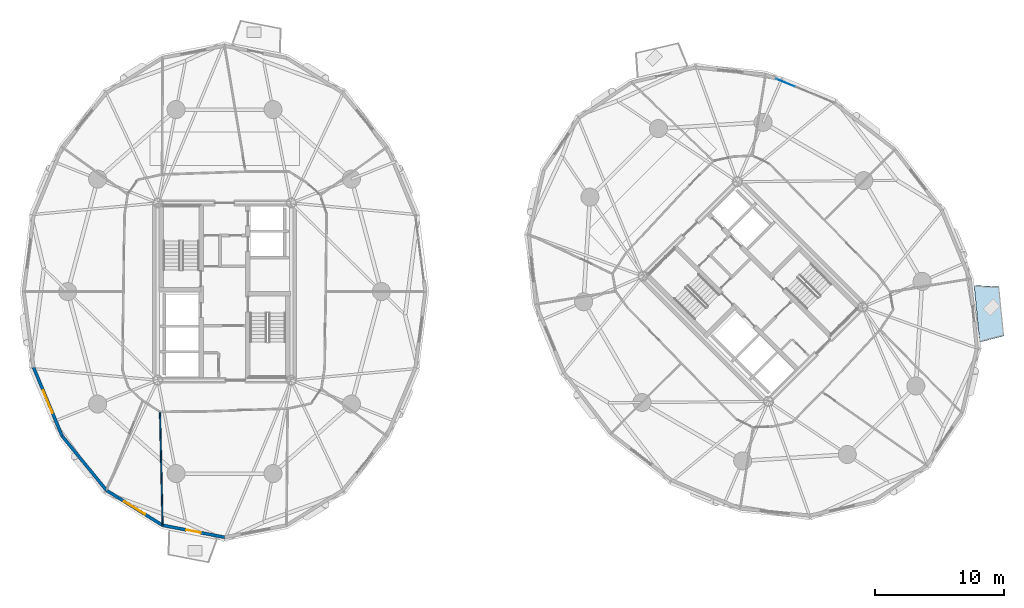
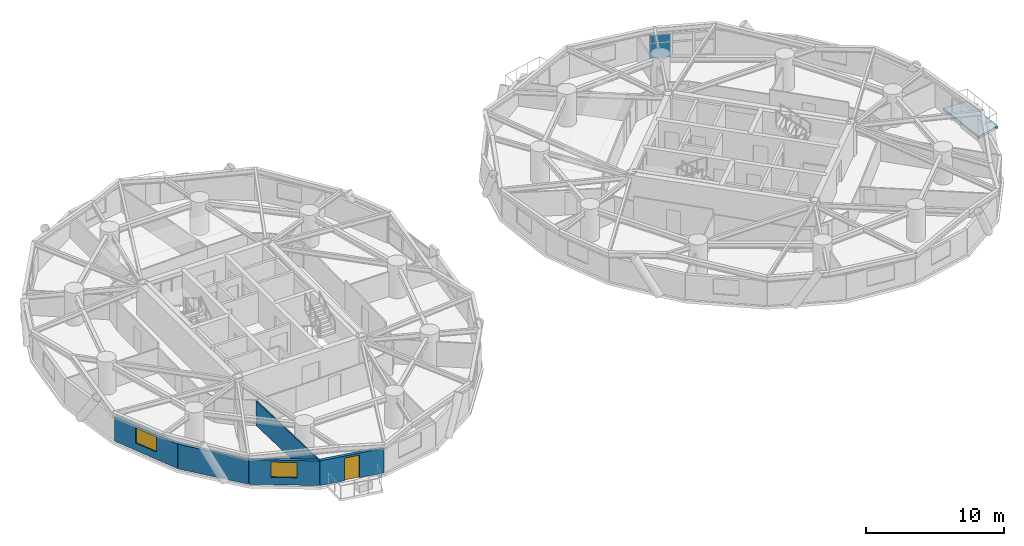
# One storey, part 8 of 17: 5 walls, 2 plates, 2 windows, 1 door, 1 slab, 3 openings, 1 element without a shape of its own.
"""IFC4 building model written with IfcOpenShell, lengths in metres."""

import ifcopenshell
import ifcopenshell.guid

model = None  # the IFC model being written
_history = None  # IfcOwnerHistory: only IFC2X3 demands one
_inside = {}  # id of a spatial element -> (the spatial element, [elements in it])
_under = {}  # id of a project, library or spatial element -> (it, [spatial elements below it])
_declared = {}  # id of a project -> (the project, [libraries it declares])
_typed = {}  # id of a type object -> (the type object, [elements of that type])
_made_of = {}  # id of a material, layer set ... -> (it, [elements and type objects made of it])


def new_model(schema):
    """Start an empty IFC model of exactly this schema.

    Asked for "IFC4X3", IfcOpenShell would pick the latest addendum, in which some entities
    have other attributes; the version numbers below select the first issue.
    IFC2X3 requires an IfcOwnerHistory on every rooted entity: one is made here for all.
    """
    global model, _history
    if schema == "IFC4X3":
        model = ifcopenshell.file(schema_version=(4, 3, 0, 0))
    else:
        model = ifcopenshell.file(schema=schema)
    _inside.clear()
    _under.clear()
    _declared.clear()
    _typed.clear()
    _made_of.clear()
    _history = None
    if model.schema == "IFC2X3":
        org = make("IfcOrganization", Name="unknown")
        user = make(
            "IfcPersonAndOrganization",
            ThePerson=make("IfcPerson", FamilyName="unknown"),
            TheOrganization=org,
        )
        app = make(
            "IfcApplication",
            ApplicationDeveloper=org,
            Version="unknown",
            ApplicationFullName="unknown",
            ApplicationIdentifier="unknown",
        )
        _history = make(
            "IfcOwnerHistory",
            OwningUser=user,
            OwningApplication=app,
            ChangeAction="ADDED",
            CreationDate=0,
        )
    return model


def make(cls, **values):
    """One entity of the class cls with the attributes given. An attribute that is None is left unset."""
    return model.create_entity(
        cls, **{name: value for name, value in values.items() if value is not None}
    )


def rooted(cls, **values):
    """An entity with a GlobalId (a new one), such as an element, a storey or a relation."""
    return make(cls, GlobalId=ifcopenshell.guid.new(), OwnerHistory=_history, **values)


def si_unit(unit_type, name, prefix=None):
    """IfcSIUnit, for example si_unit("LENGTHUNIT", "METRE", prefix="MILLI")."""
    return make("IfcSIUnit", UnitType=unit_type, Prefix=prefix, Name=name)


def assignment(units):
    """IfcUnitAssignment: the units of a project."""
    return None if units is None else make("IfcUnitAssignment", Units=units)


def point(xyz):
    """IfcCartesianPoint."""
    return None if xyz is None else make("IfcCartesianPoint", Coordinates=xyz)


def direction(xyz):
    """IfcDirection."""
    return None if xyz is None else make("IfcDirection", DirectionRatios=xyz)


def frame(location, z_axis=None, x_axis=None):
    """IfcAxis2Placement3D, a coordinate frame: its origin and axes. An axis left out is left unset."""
    return make(
        "IfcAxis2Placement3D",
        Location=point(location),
        Axis=direction(z_axis),
        RefDirection=direction(x_axis),
    )


def frame_2d(location, x_axis=None):
    """IfcAxis2Placement2D, a coordinate frame in the plane: its origin and x axis."""
    return make(
        "IfcAxis2Placement2D", Location=point(location), RefDirection=direction(x_axis)
    )


def origin():
    """The frame at (0, 0, 0) with its axes left unset."""
    return frame((0.0, 0.0, 0.0))


def origin_2d():
    """The frame at (0, 0) in the plane with its x axis left unset."""
    return frame_2d((0.0, 0.0))


def place(relative_to, where):
    """IfcLocalPlacement: puts the frame where relative to a parent placement (None: the world)."""
    return make(
        "IfcLocalPlacement", PlacementRelTo=relative_to, RelativePlacement=where
    )


def context(
    kind, dimensions, precision=None, world=None, true_north=None, identifier=None
):
    """IfcGeometricRepresentationContext, for example the 3D "Model" context."""
    return make(
        "IfcGeometricRepresentationContext",
        ContextIdentifier=identifier,
        ContextType=kind,
        CoordinateSpaceDimension=dimensions,
        Precision=precision,
        WorldCoordinateSystem=world,
        TrueNorth=true_north,
    )


def subcontext(parent, identifier, kind, view, scale=None):
    """IfcGeometricRepresentationSubContext, for example "Body" below "Model"."""
    return make(
        "IfcGeometricRepresentationSubContext",
        ContextIdentifier=identifier,
        ContextType=kind,
        ParentContext=parent,
        TargetScale=scale,
        TargetView=view,
    )


def project(units=None, contexts=None):
    """IfcProject with its units and contexts."""
    return rooted(
        "IfcProject",
        Name="project",
        RepresentationContexts=contexts,
        UnitsInContext=assignment(units),
    )


def spatial(cls, under=None, at=None, **own):
    """A site, building, storey or space (cls), placed at a placement, below another one or the project."""
    s = rooted(cls, ObjectPlacement=at, **own)
    if under is not None:
        _under.setdefault(under.id(), (under, []))[1].append(s)
    return s


def polyline(points):
    """IfcPolyline through the points."""
    return make("IfcPolyline", Points=[point(p) for p in points])


def profile(cls, at=None, kind="AREA", **sizes):
    """A parametric profile (cls). Its sizes go by their IFC names, for example OverallWidth=200.0."""
    return make(cls, ProfileType=kind, Position=at, **sizes)


def rectangle(**sizes):
    """IfcRectangleProfileDef."""
    return profile("IfcRectangleProfileDef", **sizes)


def outline(outer, holes=None, kind="AREA"):
    """IfcArbitraryClosedProfileDef: a profile drawn as a closed curve; with holes, ...WithVoids."""
    if holes is None:
        return make("IfcArbitraryClosedProfileDef", ProfileType=kind, OuterCurve=outer)
    return make(
        "IfcArbitraryProfileDefWithVoids",
        ProfileType=kind,
        OuterCurve=outer,
        InnerCurves=holes,
    )


def extrude(swept, where, along, depth):
    """IfcExtrudedAreaSolid: the profile swept, set in the frame where, extruded along a direction by depth."""
    return make(
        "IfcExtrudedAreaSolid",
        SweptArea=swept,
        Position=where,
        ExtrudedDirection=direction(along),
        Depth=depth,
    )


def shape(context_of_items, identifier, shape_type, items):
    """IfcShapeRepresentation: the items that make up one representation, for example the "Body"."""
    return make(
        "IfcShapeRepresentation",
        ContextOfItems=context_of_items,
        RepresentationIdentifier=identifier,
        RepresentationType=shape_type,
        Items=items,
    )


def source(mapping_origin, context_of_items, identifier, shape_type, items):
    """IfcRepresentationMap: a shape defined once, which mapped items show again and again."""
    return make(
        "IfcRepresentationMap",
        MappingOrigin=mapping_origin,
        MappedRepresentation=shape(context_of_items, identifier, shape_type, items),
    )


def transform(
    local_origin,
    x_axis=None,
    y_axis=None,
    z_axis=None,
    scale=None,
    scale2=None,
    scale3=None,
    uniform=True,
):
    """IfcCartesianTransformationOperator3D, or its non-uniform kind. x_axis, y_axis, z_axis: its Axis1, 2, 3."""
    if uniform:
        return make(
            "IfcCartesianTransformationOperator3D",
            Axis1=direction(x_axis),
            Axis2=direction(y_axis),
            LocalOrigin=point(local_origin),
            Scale=scale,
            Axis3=direction(z_axis),
        )
    return make(
        "IfcCartesianTransformationOperator3DnonUniform",
        Axis1=direction(x_axis),
        Axis2=direction(y_axis),
        LocalOrigin=point(local_origin),
        Scale=scale,
        Axis3=direction(z_axis),
        Scale2=scale2,
        Scale3=scale3,
    )


def mapped(mapping_source, mapping_target):
    """IfcMappedItem: shows the shape of a source again, moved by a transform."""
    return make(
        "IfcMappedItem", MappingSource=mapping_source, MappingTarget=mapping_target
    )


def material(Name=None, Category=None):
    """IfcMaterial."""
    return make("IfcMaterial", Name=Name, Category=Category)


def layer(
    of_material, thickness, ventilated=None, Name=None, Category=None, Priority=None
):
    """IfcMaterialLayer: one layer of a wall or slab, of a material (None: an air gap)."""
    return make(
        "IfcMaterialLayer",
        Material=of_material,
        LayerThickness=thickness,
        IsVentilated=ventilated,
        Name=Name,
        Category=Category,
        Priority=Priority,
    )


def layer_set(layers, Name=None):
    """IfcMaterialLayerSet."""
    return make("IfcMaterialLayerSet", MaterialLayers=layers, LayerSetName=Name)


def made_of(thing, what):
    """Note that an element or type object is made of a material, layer set ...; save() writes the relation."""
    if what is not None:
        _made_of.setdefault(what.id(), (what, []))[1].append(thing)
    return thing


def type_object(cls, material=None, **own):
    """A type object (cls), such as IfcWallType, which elements share."""
    return made_of(rooted(cls, **own), material)


def element(
    cls,
    number,
    at=None,
    inside=None,
    cuts=None,
    type_object=None,
    material=None,
    context=None,
    identifier="Body",
    shape_type=None,
    held_by="IfcProductDefinitionShape",
    body=None,
    shapes=None,
    **own,
):
    """One element of the class cls, such as IfcWall. Its Tag is "e" and its number.

    at: its placement. inside: the storey or other place that contains it. cuts: it is an
    opening in that element (IfcRelVoidsElement). A single representation is given by context,
    identifier, shape_type and body (its items); several are given by shapes. held_by: the class
    of the entity that holds the representations. save() writes the other relations.
    """
    e = rooted(cls, Tag="e%d" % number, ObjectPlacement=at, **own)
    if body is not None:
        shapes = [shape(context, identifier, shape_type, body)]
    if shapes is not None:
        e.Representation = make(held_by, Representations=shapes)
    if inside is not None:
        _inside.setdefault(inside.id(), (inside, []))[1].append(e)
    if cuts is not None:
        rooted(
            "IfcRelVoidsElement", RelatingBuildingElement=cuts, RelatedOpeningElement=e
        )
    if type_object is not None:
        _typed.setdefault(type_object.id(), (type_object, []))[1].append(e)
    return made_of(e, material)


def fill(opening, filler):
    """IfcRelFillsElement: the door or window that sits in an opening."""
    return rooted(
        "IfcRelFillsElement",
        RelatingOpeningElement=opening,
        RelatedBuildingElement=filler,
    )


def aggregate(whole, parts):
    """IfcRelAggregates: a whole, such as a stair, and the parts it consists of."""
    return rooted("IfcRelAggregates", RelatingObject=whole, RelatedObjects=parts)


def save(model, path):
    """Write the relations noted so far, then the file.

    IfcRelAggregates (storeys below a building ...), IfcRelContainedInSpatialStructure (elements
    in a storey), IfcRelDefinesByType, IfcRelAssociatesMaterial and IfcRelDeclares: one each for
    every whole, place, type object, material and project.
    """
    for whole, parts in _under.values():
        aggregate(whole, parts)
    for where, things in _inside.values():
        rooted(
            "IfcRelContainedInSpatialStructure",
            RelatedElements=things,
            RelatingStructure=where,
        )
    for kind, things in _typed.values():
        rooted("IfcRelDefinesByType", RelatedObjects=things, RelatingType=kind)
    for what, things in _made_of.values():
        rooted("IfcRelAssociatesMaterial", RelatedObjects=things, RelatingMaterial=what)
    for by, libraries in _declared.values():
        rooted("IfcRelDeclares", RelatingContext=by, RelatedDefinitions=libraries)
    model.write(path)


model = new_model("IFC4")

# Units and contexts
model_context = context("Model", 3, precision=1e-05, world=origin(), true_north=direction((0.0, 1.0)))
body_context = subcontext(model_context, "Body", "Model", "MODEL_VIEW")
ifc_project = project(units=[si_unit("LENGTHUNIT", "METRE"), si_unit("AREAUNIT", "SQUARE_METRE"), si_unit("VOLUMEUNIT", "CUBIC_METRE"), si_unit("PLANEANGLEUNIT", "RADIAN"), si_unit("MASSUNIT", "GRAM", prefix="KILO")], contexts=[model_context])

# Site, building, storey
site_placement = place(None, origin())
site = spatial("IfcSite", under=ifc_project, at=site_placement, CompositionType="ELEMENT")
building_placement = place(site_placement, origin())
building = spatial("IfcBuilding", under=site, at=building_placement, Name="Cununo Teusaquillo Station Towers", CompositionType="ELEMENT")
storey_placement = place(building_placement, frame((0.0, 0.0, 96.340087890625)))
storey = spatial("IfcBuildingStorey", under=building, at=storey_placement, Name="L30", CompositionType="ELEMENT", Elevation=96.340087890625)

# Slab
ifc_material_1 = material(Name="Concrete C50/60", Category="concrete")
ifc_layer_1 = layer(ifc_material_1, 0.2099609375)
ifc_layer_set_1 = layer_set([ifc_layer_1], Name="Concrete C50/60")
slab_type = type_object("IfcSlabType", Name="SLB-BAL-210", PredefinedType="FLOOR", material=ifc_layer_set_1)
slab_placement = place(storey_placement, frame((0.0, 0.0, -0.210205078125)))
element("IfcSlab", 1, at=slab_placement, inside=storey, type_object=slab_type, Name="L30 Tower B Tree Balcony Slab 2", PredefinedType="FLOOR", context=body_context, shape_type="SweptSolid", body=[
    extrude(outline(polyline([(75.1123046875, 20.57080078125), (74.675048828125, 24.984375), (76.6103515625, 24.87451171875), (76.988525390625, 21.05810546875), (75.1123046875, 20.57080078125)])), origin(), (0.0, 0.0, 1.0), 0.210205078125),
])

# Curtain wall, plates
ifc_material_2 = material(Name="Ceramic-fritted dark low-E double glazing", Category="glass")
ifc_layer_2 = layer(ifc_material_2, 0.179931640625)
ifc_layer_set_2 = layer_set([ifc_layer_2], Name="Ceramic-fritted dark low-E double glazing")
curtain_wall_type = type_object("IfcCurtainWallType", Name="CW-SYS-04", PredefinedType="USERDEFINED", material=ifc_layer_set_2)
curtain_wall_placement = place(storey_placement, origin())
curtain_wall = element("IfcCurtainWall", 2, at=curtain_wall_placement, inside=storey, type_object=curtain_wall_type, Name="L30 Tower B Facade Curtain Wall C01", ObjectType="FRITTED GLAZING", PredefinedType="USERDEFINED")
ifc_material_3 = material(Name="Ceramic-fritted dark low-E double glazing", Category="glass")
ifc_layer_3 = layer(ifc_material_3, 0.028076171875)
ifc_layer_set_3 = layer_set([ifc_layer_3], Name="Ceramic-fritted dark low-E double glazing")
plate_type = type_object("IfcPlateType", Name="CWP-FRIT-28", PredefinedType="CURTAIN_PANEL", material=ifc_layer_set_3)
shared_shape_1 = source(origin(), body_context, "Body", "SweptSolid", [
    extrude(rectangle(XDim=1.531005859375, YDim=0.028076171875, at=origin_2d()), origin(), (0.0, 0.0, 1.0), 1.31103515625),
])
plate_1_placement = place(storey_placement, frame((60.045654296875, 40.697021484375, 0.06982421875), z_axis=(0.0, 0.0, 1.0), x_axis=(0.924562443652, -0.381030560176, 0.0)))
plate_1 = element("IfcPlate", 3, at=plate_1_placement, type_object=plate_type, Name="CW-04 panel 1.1", PredefinedType="CURTAIN_PANEL", context=body_context, shape_type="MappedRepresentation", body=[
    mapped(shared_shape_1, transform((0.0, 0.0, 0.0), x_axis=(1.0, 0.0, 0.0), y_axis=(0.0, 1.0, 0.0), z_axis=(0.0, 0.0, 1.0), scale=1.0)),
])
shared_shape_2 = source(origin(), body_context, "Body", "SweptSolid", [
    extrude(rectangle(XDim=1.531005859375, YDim=0.028076171875, at=origin_2d()), origin(), (0.0, 0.0, 1.0), 0.657958984375),
])
plate_2_placement = place(storey_placement, frame((60.045654296875, 40.697021484375, 1.451171875), z_axis=(0.0, 0.0, 1.0), x_axis=(0.924562443652, -0.381030560176, 0.0)))
plate_2 = element("IfcPlate", 4, at=plate_2_placement, type_object=plate_type, Name="CW-04 panel 1.2", PredefinedType="CURTAIN_PANEL", context=body_context, shape_type="MappedRepresentation", body=[
    mapped(shared_shape_2, transform((0.0, 0.0, 0.0), x_axis=(1.0, 0.0, 0.0), y_axis=(0.0, 1.0, 0.0), z_axis=(0.0, 0.0, 1.0), scale=1.0)),
])
aggregate(curtain_wall, [plate_1, plate_2])

# Wall, opening, window
ifc_material_4 = material(Name="Precast concrete C40/50", Category="concrete")
ifc_layer_4 = layer(ifc_material_4, 0.239990234375)
ifc_layer_set_4 = layer_set([ifc_layer_4], Name="Precast concrete C40/50")
wall_type_1 = type_object("IfcWallType", Name="WL-EXT-240", PredefinedType="SOLIDWALL", material=ifc_layer_set_4)
wall_1_placement = place(storey_placement, frame((3.894775390625, 13.291015625, 0.0), z_axis=(0.0, 0.0, 1.0), x_axis=(-0.384344417632, 0.923189779317, 0.0)))
wall_1 = element("IfcWall", 5, at=wall_1_placement, inside=storey, type_object=wall_type_1, Name="L30 Tower A Exterior Facade Wall C11", PredefinedType="SOLIDWALL", context=body_context, shape_type="SweptSolid", body=[
    extrude(rectangle(XDim=5.75830078125, YDim=0.239990234375, at=frame_2d((2.879150390625, 0.0))), origin(), (0.0, 0.0, 1.0), 2.178955078125),
])
shared_shape_3 = source(origin(), body_context, "Body", "SweptSolid", [
    extrude(rectangle(XDim=1.89990234375, YDim=1.35009765625, at=frame_2d((0.949951171875, 0.675048828125))), frame((0.0, 0.1298828125, 0.0), z_axis=(0.0, -1.0, 0.0), x_axis=(1.0, 0.0, 0.0)), (0.0, 0.0, 1.0), 0.260009765625),
])
opening_1_placement = place(wall_1_placement, frame((1.928955078125, 0.0, 0.64990234375)))
opening_1 = element("IfcOpeningElement", 6, at=opening_1_placement, cuts=wall_1, Name="Opening WN-02", PredefinedType="OPENING", context=body_context, shape_type="MappedRepresentation", body=[
    mapped(shared_shape_3, transform((0.0, 0.0, 0.0), x_axis=(1.0, 0.0, 0.0), y_axis=(0.0, 1.0, 0.0), z_axis=(0.0, 0.0, 1.0), scale=1.0)),
])
ifc_material_5 = material(Name="Operable acoustic tinted low-E double glazing", Category="glass")
window_type = type_object("IfcWindowType", Name="WIN-OPER-1900", PartitioningType="DOUBLE_PANEL_VERTICAL", PredefinedType="WINDOW", material=ifc_material_5)
shared_shape_4 = source(origin(), body_context, "Body", "SweptSolid", [
    extrude(rectangle(XDim=1.89990234375, YDim=1.35009765625, at=frame_2d((0.949951171875, 0.675048828125))), frame((0.0, 0.030029296875, 0.0), z_axis=(0.0, -1.0, 0.0), x_axis=(1.0, 0.0, 0.0)), (0.0, 0.0, 1.0), 0.06005859375),
])
window_1_placement = place(opening_1_placement, origin())
window_1 = element("IfcWindow", 7, at=window_1_placement, inside=storey, type_object=window_type, Name="L30 Tower A Facade Window C11", OverallHeight=1.35009765625, OverallWidth=1.89990234375, PartitioningType="DOUBLE_PANEL_VERTICAL", PredefinedType="WINDOW", context=body_context, shape_type="MappedRepresentation", body=[
    mapped(shared_shape_4, transform((0.0, 0.0, 0.0), x_axis=(1.0, 0.0, 0.0), y_axis=(0.0, 1.0, 0.0), z_axis=(0.0, 0.0, 1.0), scale=1.0)),
])
fill(opening_1, window_1)

# Wall
wall_2_placement = place(storey_placement, frame((7.341796875, 9.072021484375, 0.0), z_axis=(0.0, 0.0, 1.0), x_axis=(-0.632700781152, 0.77439635945, 0.0)))
element("IfcWall", 8, at=wall_2_placement, inside=storey, type_object=wall_type_1, Name="L30 Tower A Exterior Facade Wall C12", PredefinedType="SOLIDWALL", context=body_context, shape_type="SweptSolid", body=[
    extrude(rectangle(XDim=5.447998046875, YDim=0.239990234375, at=frame_2d((2.72412109375, 0.0))), origin(), (0.0, 0.0, 1.0), 2.178955078125),
])

# Wall, opening, window
wall_3_placement = place(storey_placement, frame((11.685302734375, 6.36328125, 0.0), z_axis=(0.0, 0.0, 1.0), x_axis=(-0.848520380187, 0.529162701263, 0.0)))
wall_3 = element("IfcWall", 9, at=wall_3_placement, inside=storey, type_object=wall_type_1, Name="L30 Tower A Exterior Facade Wall C13", PredefinedType="SOLIDWALL", context=body_context, shape_type="SweptSolid", body=[
    extrude(rectangle(XDim=5.118896484375, YDim=0.239990234375, at=frame_2d((2.5595703125, 0.0))), origin(), (0.0, 0.0, 1.0), 2.178955078125),
])
opening_2_placement = place(wall_3_placement, frame((1.60888671875, 0.0, 0.64990234375)))
opening_2 = element("IfcOpeningElement", 10, at=opening_2_placement, cuts=wall_3, Name="Opening WN-02", PredefinedType="OPENING", context=body_context, shape_type="MappedRepresentation", body=[
    mapped(shared_shape_3, transform((0.0, 0.0, 0.0), x_axis=(1.0, 0.0, 0.0), y_axis=(0.0, 1.0, 0.0), z_axis=(0.0, 0.0, 1.0), scale=1.0)),
])
window_2_placement = place(opening_2_placement, origin())
window_2 = element("IfcWindow", 11, at=window_2_placement, inside=storey, type_object=window_type, Name="L30 Tower A Facade Window C13", OverallHeight=1.35009765625, OverallWidth=1.89990234375, PartitioningType="DOUBLE_PANEL_VERTICAL", PredefinedType="WINDOW", context=body_context, shape_type="MappedRepresentation", body=[
    mapped(shared_shape_4, transform((0.0, 0.0, 0.0), x_axis=(1.0, 0.0, 0.0), y_axis=(0.0, 1.0, 0.0), z_axis=(0.0, 0.0, 1.0), scale=1.0)),
])
fill(opening_2, window_2)

# Wall, opening, door
wall_4_placement = place(storey_placement, frame((16.5, 5.429931640625, 0.0), z_axis=(0.0, 0.0, 1.0), x_axis=(-0.981723785992, 0.190311344954, 0.0)))
wall_4 = element("IfcWall", 12, at=wall_4_placement, inside=storey, type_object=wall_type_1, Name="L30 Tower A Exterior Facade Wall C14", PredefinedType="SOLIDWALL", context=body_context, shape_type="SweptSolid", body=[
    extrude(rectangle(XDim=4.904296875, YDim=0.239990234375, at=frame_2d((2.4521484375, 0.0))), origin(), (0.0, 0.0, 1.0), 2.178955078125),
])
shared_shape_5 = source(origin(), body_context, "Body", "SweptSolid", [
    extrude(rectangle(XDim=1.14990234375, YDim=2.0048828125, at=frame_2d((0.574951171875, 1.00244140625))), frame((0.0, 0.1298828125, 0.0), z_axis=(0.0, -1.0, 0.0), x_axis=(1.0, 0.0, 0.0)), (0.0, 0.0, 1.0), 0.260009765625),
])
opening_3_placement = place(wall_4_placement, frame((1.876953125, 0.0, 0.0)))
opening_3 = element("IfcOpeningElement", 13, at=opening_3_placement, cuts=wall_4, Name="Opening ED-03", PredefinedType="OPENING", context=body_context, shape_type="MappedRepresentation", body=[
    mapped(shared_shape_5, transform((0.0, 0.0, 0.0), x_axis=(1.0, 0.0, 0.0), y_axis=(0.0, 1.0, 0.0), z_axis=(0.0, 0.0, 1.0), scale=1.0)),
])
ifc_material_6 = material(Name="Anodised dark bronze aluminium EN AW-6063-T6", Category="aluminium")
door_type = type_object("IfcDoorType", Name="DR-EXT-BAL", OperationType="NOTDEFINED", PredefinedType="DOOR", material=ifc_material_6)
shared_shape_6 = source(origin(), body_context, "Body", "SweptSolid", [
    extrude(rectangle(XDim=1.14990234375, YDim=2.0048828125, at=frame_2d((0.574951171875, 1.00244140625))), frame((0.0, 0.02490234375, 0.0), z_axis=(0.0, -1.0, 0.0), x_axis=(1.0, 0.0, 0.0)), (0.0, 0.0, 1.0), 0.050048828125),
])
door_placement = place(opening_3_placement, origin())
door = element("IfcDoor", 14, at=door_placement, inside=storey, type_object=door_type, Name="L30 Tower A Tree Balcony Door C14", OperationType="SINGLE_SWING_LEFT", OverallHeight=2.0048828125, OverallWidth=1.14990234375, PredefinedType="DOOR", context=body_context, shape_type="MappedRepresentation", body=[
    mapped(shared_shape_6, transform((0.0, 0.0, 0.0), x_axis=(1.0, 0.0, 0.0), y_axis=(0.0, 1.0, 0.0), z_axis=(0.0, 0.0, 1.0), scale=1.0)),
])
fill(opening_3, door)

# Wall
ifc_material_7 = material(Name="Fire-rated gypsum plasterboard partition assembly", Category="gypsum")
ifc_layer_5 = layer(ifc_material_7, 0.10009765625)
ifc_layer_set_5 = layer_set([ifc_layer_5], Name="Fire-rated gypsum plasterboard partition assembly")
wall_type_2 = type_object("IfcWallType", Name="WL-PART-100", PredefinedType="MOVABLE", material=ifc_layer_set_5)
wall_5_placement = place(storey_placement, frame((11.490478515625, 15.177978515625, 0.0), z_axis=(0.0, 0.0, 1.0), x_axis=(0.022838019925, -0.999739178409, 0.0)))
element("IfcWall", 15, at=wall_5_placement, inside=storey, type_object=wall_type_2, Name="L30 Tower A Radial Suite Partition R06", PredefinedType="MOVABLE", context=body_context, shape_type="SweptSolid", body=[
    extrude(rectangle(XDim=8.7978515625, YDim=0.10009765625, at=frame_2d((4.39892578125, 0.0))), origin(), (0.0, 0.0, 1.0), 2.178955078125),
])

save(model, "model.ifc")
